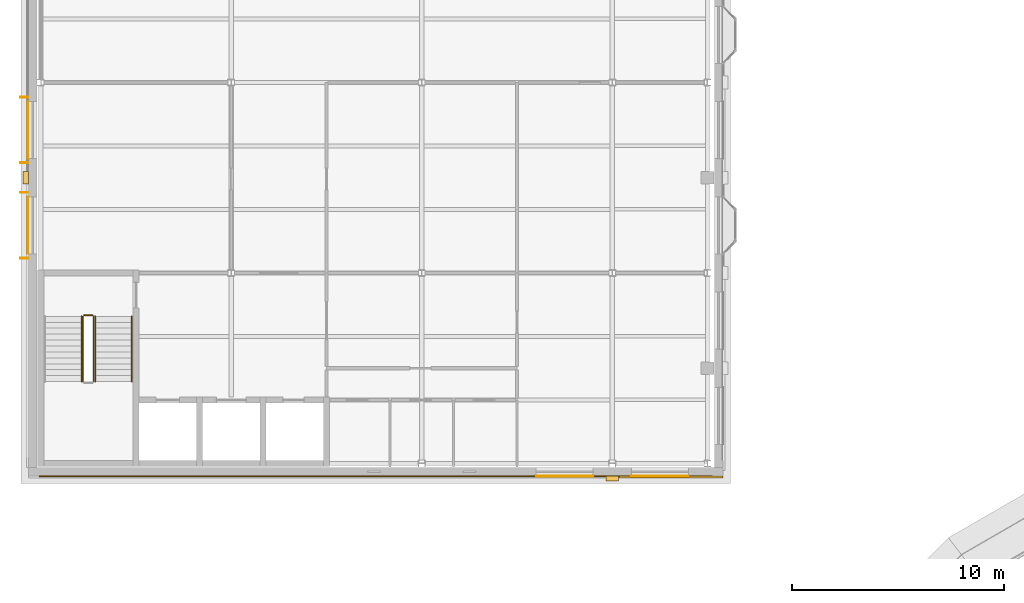
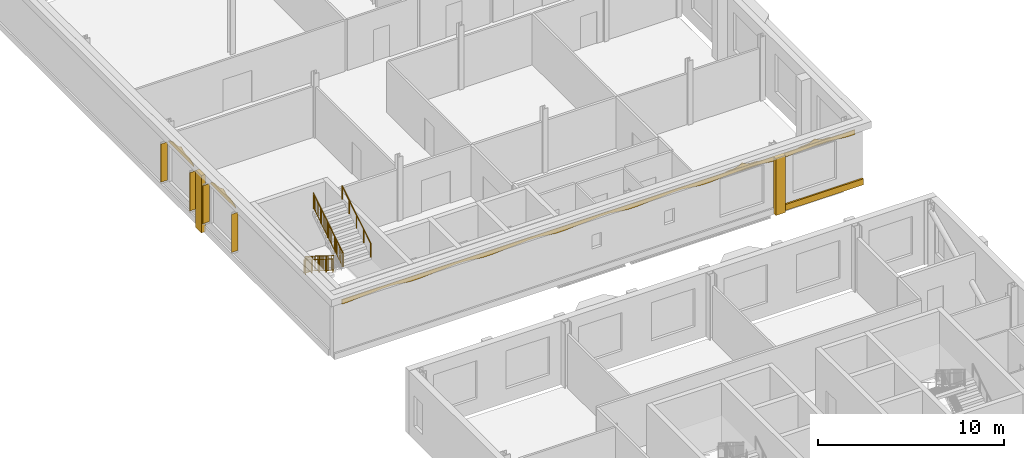
# One storey, part 60 of 62: 8 coverings, 6 railings, 4 shading devices.
"""IFC4 building model written with IfcOpenShell, lengths in metres."""

from ifc_helpers import new_model, si_unit, direction, frame, origin, origin_2d, place, context, subcontext, project, spatial, polyline, rectangle, circle, outline, extrude, material, layer, layer_set, type_object, element, save


model = new_model("IFC4")

# Units and contexts
model_context = context("Model", 3, precision=1e-05, world=origin(), true_north=direction((0.0, 1.0)))
body_context = subcontext(model_context, "Body", "Model", "MODEL_VIEW")
ifc_project = project(units=[si_unit("LENGTHUNIT", "METRE"), si_unit("AREAUNIT", "SQUARE_METRE"), si_unit("VOLUMEUNIT", "CUBIC_METRE"), si_unit("PLANEANGLEUNIT", "RADIAN"), si_unit("MASSUNIT", "GRAM", prefix="KILO")], contexts=[model_context])

# Site, building, storey
site_placement = place(None, origin())
site = spatial("IfcSite", under=ifc_project, at=site_placement, CompositionType="ELEMENT")
building_placement = place(site_placement, origin())
building = spatial("IfcBuilding", under=site, at=building_placement, Name="Hortulan Conservatory and Botanical Research Centre", CompositionType="ELEMENT")
storey_placement = place(building_placement, frame((0.0, 0.0, 15.0)))
storey = spatial("IfcBuildingStorey", under=building, at=storey_placement, Name="L03", CompositionType="ELEMENT", Elevation=15.0)

# Coverings
ifc_material_1 = material(Name="Faience cladding, waratah crimson glaze (non-combustible)", Category="ceramic")
ifc_layer_1 = layer(ifc_material_1, 0.030029296875)
ifc_layer_set_1 = layer_set([ifc_layer_1], Name="Faience Ogee Head Panel Crimson 2700x500")
covering_type_1 = type_object("IfcCoveringType", Name="Faience Ogee Head Panel Crimson 2700x500", PredefinedType="CLADDING", material=ifc_layer_set_1)
covering_1_placement = place(storey_placement, frame((-0.594482421875, 45.89990234375, 3.52001953125), z_axis=(0.0, 0.0, 1.0), x_axis=(0.0, 1.0, 0.0)))
element("IfcCovering", 1, at=covering_1_placement, inside=storey, type_object=covering_type_1, Name="Ogee head panel", PredefinedType="CLADDING", context=body_context, shape_type="SweptSolid", body=[
    extrude(outline(polyline([(0.0, 0.0), (2.699951171875, 0.0), (2.699951171875, 0.080078125), (2.58740234375, 0.148681640625), (2.47509765625, 0.208251953125), (2.362548828125, 0.252197265625), (2.25, 0.278076171875), (2.137451171875, 0.28857421875), (2.02490234375, 0.2900390625), (1.91259765625, 0.291259765625), (1.800048828125, 0.3017578125), (1.6875, 0.327880859375), (1.574951171875, 0.371826171875), (1.46240234375, 0.431396484375), (1.35009765625, 0.5), (1.237548828125, 0.431396484375), (1.125, 0.371826171875), (1.012451171875, 0.327880859375), (0.89990234375, 0.3017578125), (0.78759765625, 0.291259765625), (0.675048828125, 0.2900390625), (0.5625, 0.28857421875), (0.449951171875, 0.278076171875), (0.33740234375, 0.252197265625), (0.22509765625, 0.208251953125), (0.112548828125, 0.148681640625), (0.0, 0.080078125), (0.0, 0.0)])), frame((0.0, 0.01513671875, 0.0), z_axis=(0.0, -1.0, 0.0), x_axis=(1.0, 0.0, 0.0)), (0.0, 0.0, 1.0), 0.030029296875),
])
ifc_material_2 = material(Name="Faience cladding, harbour teal glaze (non-combustible)", Category="ceramic")
ifc_layer_2 = layer(ifc_material_2, 0.030029296875)
ifc_layer_set_2 = layer_set([ifc_layer_2], Name="Faience Ogee Head Panel Teal 2700x500")
covering_type_2 = type_object("IfcCoveringType", Name="Faience Ogee Head Panel Teal 2700x500", PredefinedType="CLADDING", material=ifc_layer_set_2)
for number, where, z_axis, x_axis, name in (
    (2, (26.10009765625, 35.3994140625, 3.52001953125), (0.0, 0.0, 1.0), (-1.0, 0.0, 0.0), "Ogee head panel"),
    (3, (30.60009765625, 35.3994140625, 3.52001953125), (0.0, 0.0, 1.0), (-1.0, 0.0, 0.0), "Ogee head panel"),
    (4, (-0.594482421875, 50.39990234375, 3.52001953125), (0.0, 0.0, 1.0), (0.0, 1.0, 0.0), "Ogee head panel"),
):
    element("IfcCovering", number, at=place(storey_placement, frame(where, z_axis=z_axis, x_axis=x_axis)), inside=storey, type_object=covering_type_2, Name=name, PredefinedType="CLADDING", context=body_context, shape_type="SweptSolid", body=[
        extrude(outline(polyline([(0.0, 0.0), (2.699951171875, 0.0), (2.699951171875, 0.080078125), (2.58740234375, 0.148681640625), (2.47509765625, 0.208251953125), (2.362548828125, 0.252197265625), (2.25, 0.278076171875), (2.137451171875, 0.28857421875), (2.02490234375, 0.2900390625), (1.91259765625, 0.291259765625), (1.800048828125, 0.3017578125), (1.6875, 0.327880859375), (1.574951171875, 0.371826171875), (1.46240234375, 0.431396484375), (1.35009765625, 0.5), (1.237548828125, 0.431396484375), (1.125, 0.371826171875), (1.012451171875, 0.327880859375), (0.89990234375, 0.3017578125), (0.78759765625, 0.291259765625), (0.675048828125, 0.2900390625), (0.5625, 0.28857421875), (0.449951171875, 0.278076171875), (0.33740234375, 0.252197265625), (0.22509765625, 0.208251953125), (0.112548828125, 0.148681640625), (0.0, 0.080078125), (0.0, 0.0)])), frame((0.0, 0.01513671875, 0.0), z_axis=(0.0, -1.0, 0.0), x_axis=(1.0, 0.0, 0.0)), (0.0, 0.0, 1.0), 0.030029296875),
    ])
ifc_material_3 = material(Name="Faience cladding, cream glaze (non-combustible)", Category="ceramic")
ifc_layer_3 = layer(ifc_material_3, 0.25)
ifc_layer_set_3 = layer_set([ifc_layer_3], Name="Faience Pilaster 600x250")
covering_type_3 = type_object("IfcCoveringType", Name="Faience Pilaster 600x250", PredefinedType="CLADDING", material=ifc_layer_set_3)
for number, where, z_axis, x_axis, name in (
    (5, (27.0, 35.28955078125, 0.0), (0.0, 0.0, 1.0), (-1.0, 0.0, 0.0), "Pier"),
    (6, (-0.70458984375, 49.5, 0.0), (0.0, 0.0, 1.0), (0.0, 1.0, 0.0), "Pier"),
):
    element("IfcCovering", number, at=place(storey_placement, frame(where, z_axis=z_axis, x_axis=x_axis)), inside=storey, type_object=covering_type_3, Name=name, PredefinedType="CLADDING", context=body_context, shape_type="SweptSolid", body=[
        extrude(rectangle(XDim=0.60009765625, YDim=0.25, at=origin_2d()), origin(), (0.0, 0.0, 1.0), 3.75),
    ])
ifc_layer_4 = layer(ifc_material_1, 0.10009765625)
ifc_layer_set_4 = layer_set([ifc_layer_4], Name="Faience String Course 400x100 Crimson")
covering_type_4 = type_object("IfcCoveringType", Name="Faience String Course 400x100 Crimson", PredefinedType="CLADDING", material=ifc_layer_set_4)
covering_2_placement = place(storey_placement, frame((29.7724609375, 35.364501953125, 0.0), z_axis=(0.0, 0.0, 1.0), x_axis=(-1.0, 0.0, 0.0)))
element("IfcCovering", 7, at=covering_2_placement, inside=storey, type_object=covering_type_4, Name="String course", PredefinedType="CLADDING", context=body_context, shape_type="SweptSolid", body=[
    extrude(rectangle(XDim=4.905029296875, YDim=0.10009765625, at=origin_2d()), origin(), (0.0, 0.0, 1.0), 0.39990234375),
])

# Shading devices
ifc_material_4 = material(Name="Bronze-finished perforated aluminium", Category="aluminium")
ifc_layer_5 = layer(ifc_material_4, 0.0400390625)
ifc_layer_set_5 = layer_set([ifc_layer_5], Name="Perforated Fin 400x40")
shading_device_type = type_object("IfcShadingDeviceType", Name="Perforated Fin 400x40", PredefinedType="USERDEFINED", material=ifc_layer_set_5)
for number, where, z_axis, x_axis, name in (
    (8, (-0.779541015625, 45.699951171875, 0.89990234375), (0.0, 0.0, 1.0), (0.0, 1.0, 0.0), "Perforated fin"),
    (9, (-0.779541015625, 48.800048828125, 0.89990234375), (0.0, 0.0, 1.0), (0.0, 1.0, 0.0), "Perforated fin"),
    (10, (-0.779541015625, 50.199951171875, 0.89990234375), (0.0, 0.0, 1.0), (0.0, 1.0, 0.0), "Perforated fin"),
    (11, (-0.779541015625, 53.300048828125, 0.89990234375), (0.0, 0.0, 1.0), (0.0, 1.0, 0.0), "Perforated fin"),
):
    element("IfcShadingDevice", number, at=place(storey_placement, frame(where, z_axis=z_axis, x_axis=x_axis)), inside=storey, type_object=shading_device_type, Name=name, ObjectType="Perforated fin", PredefinedType="USERDEFINED", context=body_context, shape_type="SweptSolid", body=[
        extrude(rectangle(XDim=0.0400390625, YDim=0.39990234375, at=origin_2d()), origin(), (0.0, 0.0, 1.0), 2.5),
    ])

# Railings
ifc_material_5 = material(Name="Steel balustrade, bronze-charcoal paint", Category="steel")
railing_type_1 = type_object("IfcRailingType", Name="Stair Guard 1100", PredefinedType="GUARDRAIL", material=ifc_material_5)
railing_1_placement = place(storey_placement, frame((2.0, 42.949951171875, 0.175048828125)))
element("IfcRailing", 12, at=railing_1_placement, inside=storey, type_object=railing_type_1, Name="Guard V1 L03 stair 1", PredefinedType="GUARDRAIL", context=body_context, shape_type="SweptSolid", body=[
    extrude(circle(Radius=0.02392578125, at=origin_2d()), frame((0.0, 0.0, 1.076171875), z_axis=(0.0, -0.847979421464, 0.530029150871), x_axis=(1.0, 0.0, 0.0)), (0.0, 0.0, 1.0), 3.632080078125),
    extrude(circle(Radius=0.02392578125, at=origin_2d()), frame((0.0, 0.0, 0.1240234375), z_axis=(0.0, -0.847979421464, 0.530029150871), x_axis=(1.0, 0.0, 0.0)), (0.0, 0.0, 1.0), 3.632080078125),
    extrude(circle(Radius=0.008056640625, at=origin_2d()), frame((0.0, -0.090576171875, 0.204833984375)), (0.0, 0.0, 1.0), 0.90380859375),
    extrude(circle(Radius=0.008056640625, at=origin_2d()), frame((0.0, -0.18115234375, 0.261474609375)), (0.0, 0.0, 1.0), 0.90380859375),
    extrude(circle(Radius=0.008056640625, at=origin_2d()), frame((0.0, -0.271728515625, 0.318115234375)), (0.0, 0.0, 1.0), 0.90380859375),
    extrude(circle(Radius=0.008056640625, at=origin_2d()), frame((0.0, -0.3623046875, 0.374755859375)), (0.0, 0.0, 1.0), 0.90380859375),
    extrude(circle(Radius=0.008056640625, at=origin_2d()), frame((0.0, -0.452880859375, 0.431396484375)), (0.0, 0.0, 1.0), 0.90380859375),
    extrude(circle(Radius=0.008056640625, at=origin_2d()), frame((0.0, -0.54345703125, 0.48779296875)), (0.0, 0.0, 1.0), 0.90380859375),
    extrude(circle(Radius=0.008056640625, at=origin_2d()), frame((0.0, -0.634033203125, 0.54443359375)), (0.0, 0.0, 1.0), 0.90380859375),
    extrude(circle(Radius=0.008056640625, at=origin_2d()), frame((0.0, -0.724609375, 0.60107421875)), (0.0, 0.0, 1.0), 0.90380859375),
    extrude(circle(Radius=0.008056640625, at=origin_2d()), frame((0.0, -0.815185546875, 0.65771484375)), (0.0, 0.0, 1.0), 0.90380859375),
    extrude(circle(Radius=0.008056640625, at=origin_2d()), frame((0.0, -0.90576171875, 0.71435546875)), (0.0, 0.0, 1.0), 0.90380859375),
    extrude(circle(Radius=0.008056640625, at=origin_2d()), frame((0.0, -0.996337890625, 0.77099609375)), (0.0, 0.0, 1.0), 0.90380859375),
    extrude(circle(Radius=0.008056640625, at=origin_2d()), frame((0.0, -1.0869140625, 0.82763671875)), (0.0, 0.0, 1.0), 0.90380859375),
    extrude(circle(Radius=0.008056640625, at=origin_2d()), frame((0.0, -1.177490234375, 0.88427734375)), (0.0, 0.0, 1.0), 0.90380859375),
    extrude(circle(Radius=0.008056640625, at=origin_2d()), frame((0.0, -1.26806640625, 0.94091796875)), (0.0, 0.0, 1.0), 0.90380859375),
    extrude(circle(Radius=0.008056640625, at=origin_2d()), frame((0.0, -1.358642578125, 0.99755859375)), (0.0, 0.0, 1.0), 0.90380859375),
    extrude(circle(Radius=0.008056640625, at=origin_2d()), frame((0.0, -1.44921875, 1.05419921875)), (0.0, 0.0, 1.0), 0.90380859375),
    extrude(circle(Radius=0.008056640625, at=origin_2d()), frame((0.0, -1.5400390625, 1.11083984375)), (0.0, 0.0, 1.0), 0.90380859375),
    extrude(circle(Radius=0.008056640625, at=origin_2d()), frame((0.0, -1.630615234375, 1.167236328125)), (0.0, 0.0, 1.0), 0.90380859375),
    extrude(circle(Radius=0.008056640625, at=origin_2d()), frame((0.0, -1.72119140625, 1.223876953125)), (0.0, 0.0, 1.0), 0.90380859375),
    extrude(circle(Radius=0.008056640625, at=origin_2d()), frame((0.0, -1.811767578125, 1.280517578125)), (0.0, 0.0, 1.0), 0.90380859375),
    extrude(circle(Radius=0.008056640625, at=origin_2d()), frame((0.0, -1.90234375, 1.337158203125)), (0.0, 0.0, 1.0), 0.90380859375),
    extrude(circle(Radius=0.008056640625, at=origin_2d()), frame((0.0, -1.992919921875, 1.393798828125)), (0.0, 0.0, 1.0), 0.90380859375),
    extrude(circle(Radius=0.008056640625, at=origin_2d()), frame((0.0, -2.08349609375, 1.450439453125)), (0.0, 0.0, 1.0), 0.90380859375),
    extrude(circle(Radius=0.008056640625, at=origin_2d()), frame((0.0, -2.174072265625, 1.507080078125)), (0.0, 0.0, 1.0), 0.90380859375),
    extrude(circle(Radius=0.008056640625, at=origin_2d()), frame((0.0, -2.2646484375, 1.563720703125)), (0.0, 0.0, 1.0), 0.90380859375),
    extrude(circle(Radius=0.008056640625, at=origin_2d()), frame((0.0, -2.355224609375, 1.620361328125)), (0.0, 0.0, 1.0), 0.90380859375),
    extrude(circle(Radius=0.008056640625, at=origin_2d()), frame((0.0, -2.44580078125, 1.677001953125)), (0.0, 0.0, 1.0), 0.90380859375),
    extrude(circle(Radius=0.008056640625, at=origin_2d()), frame((0.0, -2.536376953125, 1.733642578125)), (0.0, 0.0, 1.0), 0.90380859375),
    extrude(circle(Radius=0.008056640625, at=origin_2d()), frame((0.0, -2.626953125, 1.7900390625)), (0.0, 0.0, 1.0), 0.90380859375),
    extrude(circle(Radius=0.008056640625, at=origin_2d()), frame((0.0, -2.717529296875, 1.8466796875)), (0.0, 0.0, 1.0), 0.90380859375),
    extrude(circle(Radius=0.008056640625, at=origin_2d()), frame((0.0, -2.80810546875, 1.9033203125)), (0.0, 0.0, 1.0), 0.90380859375),
    extrude(circle(Radius=0.008056640625, at=origin_2d()), frame((0.0, -2.898681640625, 1.9599609375)), (0.0, 0.0, 1.0), 0.90380859375),
    extrude(circle(Radius=0.008056640625, at=origin_2d()), frame((0.0, -2.9892578125, 2.0166015625)), (0.0, 0.0, 1.0), 0.90380859375),
    extrude(circle(Radius=0.02099609375, at=origin_2d()), origin(), (0.0, 0.0, 1.0), 1.052001953125),
    extrude(circle(Radius=0.02099609375, at=origin_2d()), frame((0.0, -0.77001953125, 0.481201171875)), (0.0, 0.0, 1.0), 1.052001953125),
    extrude(circle(Radius=0.02099609375, at=origin_2d()), frame((0.0, -1.5400390625, 0.96240234375)), (0.0, 0.0, 1.0), 1.052001953125),
    extrude(circle(Radius=0.02099609375, at=origin_2d()), frame((0.0, -2.309814453125, 1.44384765625)), (0.0, 0.0, 1.0), 1.052001953125),
    extrude(circle(Radius=0.02099609375, at=origin_2d()), frame((0.0, -3.079833984375, 1.925048828125)), (0.0, 0.0, 1.0), 1.052001953125),
])
railing_2_placement = place(storey_placement, frame((2.5, 39.8701171875, 2.27490234375)))
element("IfcRailing", 13, at=railing_2_placement, inside=storey, type_object=railing_type_1, Name="Guard V1 L03 stair 3", PredefinedType="GUARDRAIL", context=body_context, shape_type="SweptSolid", body=[
    extrude(circle(Radius=0.02392578125, at=origin_2d()), frame((0.0, 0.0, 1.076171875), z_axis=(0.0, 0.847979421464, 0.530029150871), x_axis=(-1.0, 0.0, 0.0)), (0.0, 0.0, 1.0), 3.632080078125),
    extrude(circle(Radius=0.02392578125, at=origin_2d()), frame((0.0, 0.0, 0.1240234375), z_axis=(0.0, 0.847979421464, 0.530029150871), x_axis=(-1.0, 0.0, 0.0)), (0.0, 0.0, 1.0), 3.632080078125),
    extrude(circle(Radius=0.008056640625, at=origin_2d()), frame((0.0, 0.090576171875, 0.204833984375)), (0.0, 0.0, 1.0), 0.90380859375),
    extrude(circle(Radius=0.008056640625, at=origin_2d()), frame((0.0, 0.18115234375, 0.261474609375)), (0.0, 0.0, 1.0), 0.90380859375),
    extrude(circle(Radius=0.008056640625, at=origin_2d()), frame((0.0, 0.271728515625, 0.318115234375)), (0.0, 0.0, 1.0), 0.90380859375),
    extrude(circle(Radius=0.008056640625, at=origin_2d()), frame((0.0, 0.3623046875, 0.374755859375)), (0.0, 0.0, 1.0), 0.90380859375),
    extrude(circle(Radius=0.008056640625, at=origin_2d()), frame((0.0, 0.452880859375, 0.431396484375)), (0.0, 0.0, 1.0), 0.90380859375),
    extrude(circle(Radius=0.008056640625, at=origin_2d()), frame((0.0, 0.54345703125, 0.48779296875)), (0.0, 0.0, 1.0), 0.90380859375),
    extrude(circle(Radius=0.008056640625, at=origin_2d()), frame((0.0, 0.634033203125, 0.54443359375)), (0.0, 0.0, 1.0), 0.90380859375),
    extrude(circle(Radius=0.008056640625, at=origin_2d()), frame((0.0, 0.724609375, 0.60107421875)), (0.0, 0.0, 1.0), 0.90380859375),
    extrude(circle(Radius=0.008056640625, at=origin_2d()), frame((0.0, 0.815185546875, 0.65771484375)), (0.0, 0.0, 1.0), 0.90380859375),
    extrude(circle(Radius=0.008056640625, at=origin_2d()), frame((0.0, 0.90576171875, 0.71435546875)), (0.0, 0.0, 1.0), 0.90380859375),
    extrude(circle(Radius=0.008056640625, at=origin_2d()), frame((0.0, 0.996337890625, 0.77099609375)), (0.0, 0.0, 1.0), 0.90380859375),
    extrude(circle(Radius=0.008056640625, at=origin_2d()), frame((0.0, 1.0869140625, 0.82763671875)), (0.0, 0.0, 1.0), 0.90380859375),
    extrude(circle(Radius=0.008056640625, at=origin_2d()), frame((0.0, 1.177490234375, 0.88427734375)), (0.0, 0.0, 1.0), 0.90380859375),
    extrude(circle(Radius=0.008056640625, at=origin_2d()), frame((0.0, 1.26806640625, 0.94091796875)), (0.0, 0.0, 1.0), 0.90380859375),
    extrude(circle(Radius=0.008056640625, at=origin_2d()), frame((0.0, 1.358642578125, 0.99755859375)), (0.0, 0.0, 1.0), 0.90380859375),
    extrude(circle(Radius=0.008056640625, at=origin_2d()), frame((0.0, 1.44921875, 1.05419921875)), (0.0, 0.0, 1.0), 0.90380859375),
    extrude(circle(Radius=0.008056640625, at=origin_2d()), frame((0.0, 1.5400390625, 1.11083984375)), (0.0, 0.0, 1.0), 0.90380859375),
    extrude(circle(Radius=0.008056640625, at=origin_2d()), frame((0.0, 1.630615234375, 1.167236328125)), (0.0, 0.0, 1.0), 0.90380859375),
    extrude(circle(Radius=0.008056640625, at=origin_2d()), frame((0.0, 1.72119140625, 1.223876953125)), (0.0, 0.0, 1.0), 0.90380859375),
    extrude(circle(Radius=0.008056640625, at=origin_2d()), frame((0.0, 1.811767578125, 1.280517578125)), (0.0, 0.0, 1.0), 0.90380859375),
    extrude(circle(Radius=0.008056640625, at=origin_2d()), frame((0.0, 1.90234375, 1.337158203125)), (0.0, 0.0, 1.0), 0.90380859375),
    extrude(circle(Radius=0.008056640625, at=origin_2d()), frame((0.0, 1.992919921875, 1.393798828125)), (0.0, 0.0, 1.0), 0.90380859375),
    extrude(circle(Radius=0.008056640625, at=origin_2d()), frame((0.0, 2.08349609375, 1.450439453125)), (0.0, 0.0, 1.0), 0.90380859375),
    extrude(circle(Radius=0.008056640625, at=origin_2d()), frame((0.0, 2.174072265625, 1.507080078125)), (0.0, 0.0, 1.0), 0.90380859375),
    extrude(circle(Radius=0.008056640625, at=origin_2d()), frame((0.0, 2.2646484375, 1.563720703125)), (0.0, 0.0, 1.0), 0.90380859375),
    extrude(circle(Radius=0.008056640625, at=origin_2d()), frame((0.0, 2.355224609375, 1.620361328125)), (0.0, 0.0, 1.0), 0.90380859375),
    extrude(circle(Radius=0.008056640625, at=origin_2d()), frame((0.0, 2.44580078125, 1.677001953125)), (0.0, 0.0, 1.0), 0.90380859375),
    extrude(circle(Radius=0.008056640625, at=origin_2d()), frame((0.0, 2.536376953125, 1.733642578125)), (0.0, 0.0, 1.0), 0.90380859375),
    extrude(circle(Radius=0.008056640625, at=origin_2d()), frame((0.0, 2.626953125, 1.7900390625)), (0.0, 0.0, 1.0), 0.90380859375),
    extrude(circle(Radius=0.008056640625, at=origin_2d()), frame((0.0, 2.717529296875, 1.8466796875)), (0.0, 0.0, 1.0), 0.90380859375),
    extrude(circle(Radius=0.008056640625, at=origin_2d()), frame((0.0, 2.80810546875, 1.9033203125)), (0.0, 0.0, 1.0), 0.90380859375),
    extrude(circle(Radius=0.008056640625, at=origin_2d()), frame((0.0, 2.898681640625, 1.9599609375)), (0.0, 0.0, 1.0), 0.90380859375),
    extrude(circle(Radius=0.008056640625, at=origin_2d()), frame((0.0, 2.9892578125, 2.0166015625)), (0.0, 0.0, 1.0), 0.90380859375),
    extrude(circle(Radius=0.02099609375, at=origin_2d()), origin(), (0.0, 0.0, 1.0), 1.052001953125),
    extrude(circle(Radius=0.02099609375, at=origin_2d()), frame((0.0, 0.77001953125, 0.481201171875)), (0.0, 0.0, 1.0), 1.052001953125),
    extrude(circle(Radius=0.02099609375, at=origin_2d()), frame((0.0, 1.5400390625, 0.96240234375)), (0.0, 0.0, 1.0), 1.052001953125),
    extrude(circle(Radius=0.02099609375, at=origin_2d()), frame((0.0, 2.309814453125, 1.44384765625)), (0.0, 0.0, 1.0), 1.052001953125),
    extrude(circle(Radius=0.02099609375, at=origin_2d()), frame((0.0, 3.079833984375, 1.925048828125)), (0.0, 0.0, 1.0), 1.052001953125),
])
railing_3_placement = place(storey_placement, frame((2.050048828125, 43.0, 0.0)))
element("IfcRailing", 14, at=railing_3_placement, inside=storey, type_object=railing_type_1, Name="Guard V1 L03 stair 4", PredefinedType="GUARDRAIL", context=body_context, shape_type="SweptSolid", body=[
    extrude(circle(Radius=0.02392578125, at=origin_2d()), frame((0.0, 0.0, 1.076171875), z_axis=(1.0, 0.0, 0.0), x_axis=(0.0, 1.0, 0.0)), (0.0, 0.0, 1.0), 0.39990234375),
    extrude(circle(Radius=0.02392578125, at=origin_2d()), frame((0.0, 0.0, 0.1240234375), z_axis=(1.0, 0.0, 0.0), x_axis=(0.0, 1.0, 0.0)), (0.0, 0.0, 1.0), 0.39990234375),
    extrude(circle(Radius=0.008056640625, at=origin_2d()), frame((0.10009765625, 0.0, 0.148193359375)), (0.0, 0.0, 1.0), 0.90380859375),
    extrude(circle(Radius=0.008056640625, at=origin_2d()), frame((0.199951171875, 0.0, 0.148193359375)), (0.0, 0.0, 1.0), 0.90380859375),
    extrude(circle(Radius=0.008056640625, at=origin_2d()), frame((0.2998046875, 0.0, 0.148193359375)), (0.0, 0.0, 1.0), 0.90380859375),
    extrude(circle(Radius=0.02099609375, at=origin_2d()), origin(), (0.0, 0.0, 1.0), 1.052001953125),
    extrude(circle(Radius=0.02099609375, at=origin_2d()), frame((0.39990234375, 0.0, 0.0)), (0.0, 0.0, 1.0), 1.052001953125),
])
ifc_material_6 = material(Name="Bronze handrail, polished", Category="metal")
railing_type_2 = type_object("IfcRailingType", Name="Stair Handrail 900", PredefinedType="HANDRAIL", material=ifc_material_6)
railing_4_placement = place(storey_placement, frame((4.300048828125, 39.8701171875, 2.27490234375)))
element("IfcRailing", 15, at=railing_4_placement, inside=storey, type_object=railing_type_2, Name="Handrail V1 L03 stair 2", PredefinedType="HANDRAIL", context=body_context, shape_type="SweptSolid", body=[
    extrude(circle(Radius=0.02392578125, at=origin_2d()), frame((0.0, 0.0, 0.8759765625), z_axis=(0.0, 0.847979421464, 0.530029150871), x_axis=(-1.0, 0.0, 0.0)), (0.0, 0.0, 1.0), 3.632080078125),
    extrude(circle(Radius=0.02099609375, at=origin_2d()), origin(), (0.0, 0.0, 1.0), 0.851806640625),
    extrude(circle(Radius=0.02099609375, at=origin_2d()), frame((0.0, 0.77001953125, 0.481201171875)), (0.0, 0.0, 1.0), 0.851806640625),
    extrude(circle(Radius=0.02099609375, at=origin_2d()), frame((0.0, 1.5400390625, 0.96240234375)), (0.0, 0.0, 1.0), 0.851806640625),
    extrude(circle(Radius=0.02099609375, at=origin_2d()), frame((0.0, 2.309814453125, 1.44384765625)), (0.0, 0.0, 1.0), 0.851806640625),
    extrude(circle(Radius=0.02099609375, at=origin_2d()), frame((0.0, 3.079833984375, 1.925048828125)), (0.0, 0.0, 1.0), 0.851806640625),
])
railing_5_placement = place(storey_placement, frame((1.929931640625, 42.949951171875, 0.175048828125)))
element("IfcRailing", 16, at=railing_5_placement, inside=storey, type_object=railing_type_2, Name="Handrail V1 L03 stair 3", PredefinedType="HANDRAIL", context=body_context, shape_type="SweptSolid", body=[
    extrude(circle(Radius=0.02392578125, at=origin_2d()), frame((0.0, 0.0, 0.8759765625), z_axis=(0.0, -0.847979421464, 0.530029150871), x_axis=(1.0, 0.0, 0.0)), (0.0, 0.0, 1.0), 3.632080078125),
    extrude(circle(Radius=0.02099609375, at=origin_2d()), origin(), (0.0, 0.0, 1.0), 0.851806640625),
    extrude(circle(Radius=0.02099609375, at=origin_2d()), frame((0.0, -0.77001953125, 0.481201171875)), (0.0, 0.0, 1.0), 0.851806640625),
    extrude(circle(Radius=0.02099609375, at=origin_2d()), frame((0.0, -1.5400390625, 0.96240234375)), (0.0, 0.0, 1.0), 0.851806640625),
    extrude(circle(Radius=0.02099609375, at=origin_2d()), frame((0.0, -2.309814453125, 1.44384765625)), (0.0, 0.0, 1.0), 0.851806640625),
    extrude(circle(Radius=0.02099609375, at=origin_2d()), frame((0.0, -3.079833984375, 1.925048828125)), (0.0, 0.0, 1.0), 0.851806640625),
])
railing_6_placement = place(storey_placement, frame((2.570068359375, 39.8701171875, 2.27490234375)))
element("IfcRailing", 17, at=railing_6_placement, inside=storey, type_object=railing_type_2, Name="Handrail V1 L03 stair 4", PredefinedType="HANDRAIL", context=body_context, shape_type="SweptSolid", body=[
    extrude(circle(Radius=0.02392578125, at=origin_2d()), frame((0.0, 0.0, 0.8759765625), z_axis=(0.0, 0.847979421464, 0.530029150871), x_axis=(-1.0, 0.0, 0.0)), (0.0, 0.0, 1.0), 3.632080078125),
    extrude(circle(Radius=0.02099609375, at=origin_2d()), origin(), (0.0, 0.0, 1.0), 0.851806640625),
    extrude(circle(Radius=0.02099609375, at=origin_2d()), frame((0.0, 0.77001953125, 0.481201171875)), (0.0, 0.0, 1.0), 0.851806640625),
    extrude(circle(Radius=0.02099609375, at=origin_2d()), frame((0.0, 1.5400390625, 0.96240234375)), (0.0, 0.0, 1.0), 0.851806640625),
    extrude(circle(Radius=0.02099609375, at=origin_2d()), frame((0.0, 2.309814453125, 1.44384765625)), (0.0, 0.0, 1.0), 0.851806640625),
    extrude(circle(Radius=0.02099609375, at=origin_2d()), frame((0.0, 3.079833984375, 1.925048828125)), (0.0, 0.0, 1.0), 0.851806640625),
])

# Covering
ifc_material_7 = material(Name="Faience cladding, wattle ochre glaze (non-combustible)", Category="ceramic")
ifc_layer_6 = layer(ifc_material_7, 0.050048828125)
ifc_layer_set_6 = layer_set([ifc_layer_6], Name="Whiplash Crown Frieze Panel 50")
covering_type_5 = type_object("IfcCoveringType", Name="Whiplash Crown Frieze Panel 50", PredefinedType="CLADDING", material=ifc_layer_set_6)
covering_3_placement = place(storey_placement, frame((31.72509765625, 35.389404296875, 3.449951171875), z_axis=(0.0, 0.0, 1.0), x_axis=(-1.0, 0.0, 0.0)))
element("IfcCovering", 18, at=covering_3_placement, inside=storey, type_object=covering_type_5, Name="Whiplash crown frieze", PredefinedType="CLADDING", context=body_context, shape_type="SweptSolid", body=[
    extrude(outline(polyline([(0.0, 0.0), (0.281494140625, 0.0), (0.56298828125, 0.004150390625), (0.844482421875, 0.03369140625), (1.125732421875, 0.0751953125), (1.4072265625, 0.11669921875), (1.688720703125, 0.146240234375), (1.97021484375, 0.150146484375), (2.251708984375, 0.14990234375), (2.533203125, 0.13134765625), (2.814697265625, 0.10986328125), (3.095947265625, 0.0908203125), (3.37744140625, 0.074951171875), (3.658935546875, 0.058837890625), (3.9404296875, 0.039794921875), (4.2216796875, 0.018310546875), (4.50341796875, 0.0), (4.78466796875, 0.0), (5.066162109375, 0.004150390625), (5.34765625, 0.0341796875), (5.629150390625, 0.07568359375), (5.91064453125, 0.116943359375), (6.19189453125, 0.146484375), (6.473388671875, 0.150146484375), (6.7548828125, 0.14990234375), (7.036376953125, 0.13134765625), (7.31787109375, 0.109619140625), (7.599365234375, 0.090576171875), (7.880859375, 0.07470703125), (8.162109375, 0.058837890625), (8.443603515625, 0.03955078125), (8.72509765625, 0.01806640625), (9.006591796875, 0.0), (9.2880859375, 0.0), (9.569580078125, 0.004638671875), (9.85107421875, 0.03466796875), (10.13232421875, 0.076171875), (10.413818359375, 0.117431640625), (10.6953125, 0.146728515625), (10.976806640625, 0.150146484375), (11.25830078125, 0.149658203125), (11.539794921875, 0.130859375), (11.821044921875, 0.109375), (12.1025390625, 0.09033203125), (12.384033203125, 0.074462890625), (12.66552734375, 0.05859375), (12.947021484375, 0.039306640625), (13.228515625, 0.017822265625), (13.510009765625, 0.0), (13.791259765625, 0.0), (14.07275390625, 0.004638671875), (14.354248046875, 0.03515625), (14.6357421875, 0.07666015625), (14.917236328125, 0.117919921875), (15.198486328125, 0.146728515625), (15.47998046875, 0.150146484375), (15.761474609375, 0.1494140625), (16.04296875, 0.130859375), (16.324462890625, 0.109130859375), (16.60595703125, 0.09033203125), (16.88720703125, 0.074462890625), (17.168701171875, 0.058349609375), (17.4501953125, 0.0390625), (17.731689453125, 0.017578125), (18.01318359375, 0.0), (18.294677734375, 0.0), (18.576171875, 0.005126953125), (18.857421875, 0.035400390625), (19.138916015625, 0.0771484375), (19.42041015625, 0.118408203125), (19.701904296875, 0.147216796875), (19.9833984375, 0.150146484375), (20.264892578125, 0.149169921875), (20.54638671875, 0.13037109375), (20.82763671875, 0.10888671875), (21.109130859375, 0.090087890625), (21.390625, 0.07421875), (21.672119140625, 0.05810546875), (21.95361328125, 0.038818359375), (22.235107421875, 0.017333984375), (22.5166015625, 0.0), (22.7978515625, 0.0), (23.079345703125, 0.00537109375), (23.36083984375, 0.035888671875), (23.642333984375, 0.07763671875), (23.923583984375, 0.11865234375), (24.205078125, 0.1474609375), (24.48681640625, 0.150146484375), (24.76806640625, 0.149169921875), (25.049560546875, 0.130126953125), (25.3310546875, 0.108642578125), (25.612548828125, 0.08984375), (25.893798828125, 0.073974609375), (26.17529296875, 0.057861328125), (26.456787109375, 0.03857421875), (26.73828125, 0.01708984375), (27.019775390625, 0.0), (27.30126953125, 0.0), (27.582763671875, 0.005615234375), (27.864013671875, 0.036376953125), (28.1455078125, 0.078369140625), (28.427001953125, 0.119140625), (28.70849609375, 0.1474609375), (28.989990234375, 0.150146484375), (29.271484375, 0.14892578125), (29.552978515625, 0.1298828125), (29.834228515625, 0.1083984375), (30.11572265625, 0.089599609375), (30.397216796875, 0.07373046875), (30.6787109375, 0.0576171875), (30.960205078125, 0.038330078125), (31.24169921875, 0.016845703125), (31.52294921875, 0.0), (31.804443359375, 0.0), (31.804443359375, 0.300048828125), (0.0, 0.300048828125), (0.0, 0.0)])), frame((0.0, 0.02490234375, 0.0), z_axis=(0.0, -1.0, 0.0), x_axis=(1.0, 0.0, 0.0)), (0.0, 0.0, 1.0), 0.050048828125),
])

save(model, "model.ifc")
